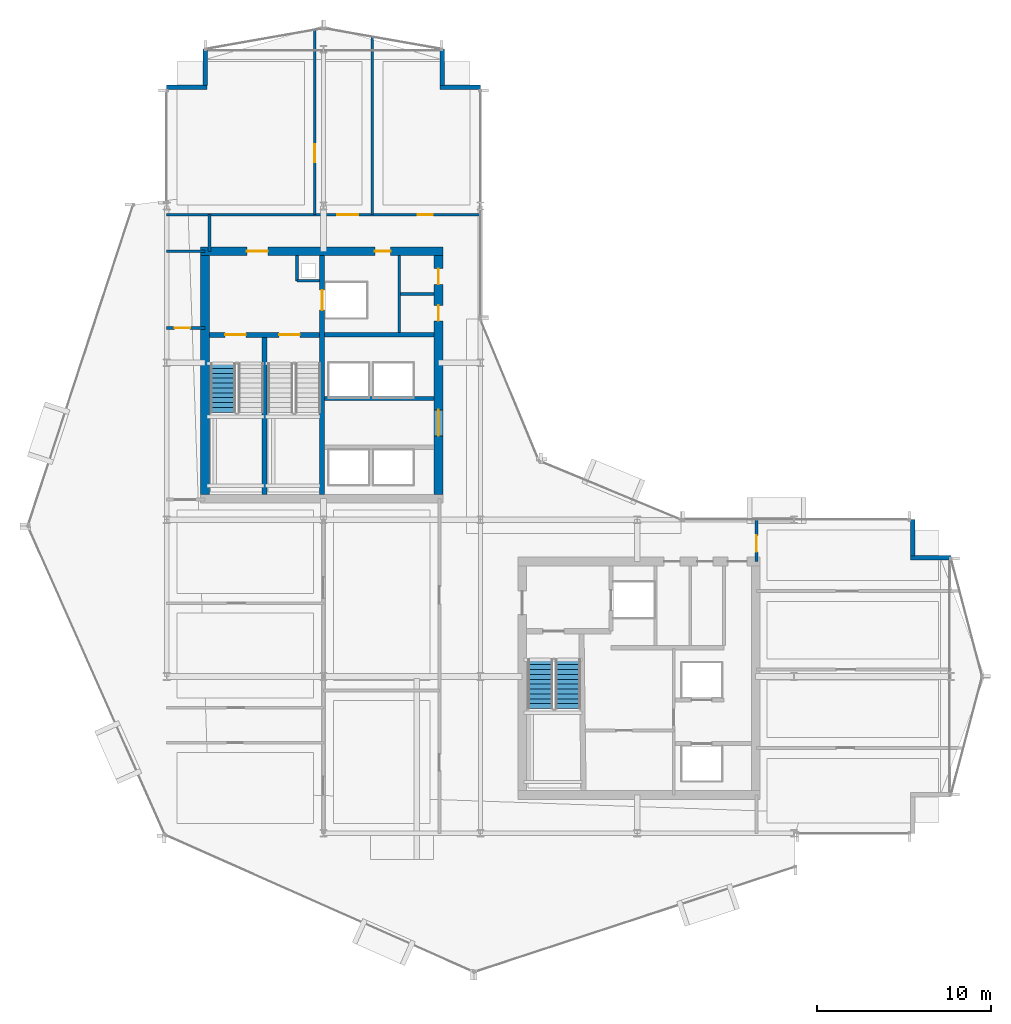
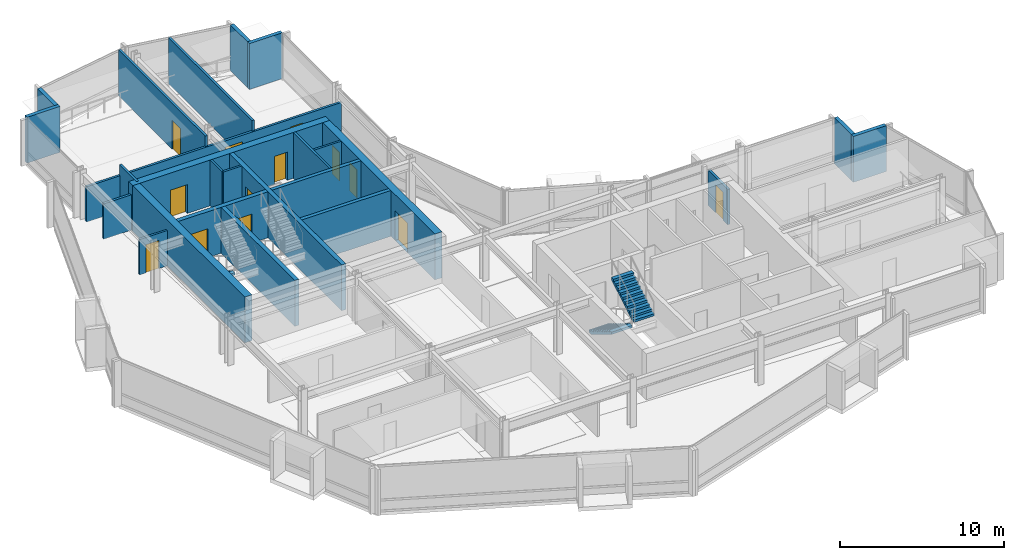
# One storey, part 23 of 29: 25 walls, 13 doors, 3 stair flights, 13 openings, 2 elements without a shape of their own.
"""IFC4 building model written with IfcOpenShell, lengths in metres."""

from ifc_helpers import new_model, si_unit, direction, frame, frame_2d, origin, place, context, subcontext, project, spatial, polyline, rectangle, outline, extrude, material, layer, layer_set, type_object, element, fill, aggregate, save


model = new_model("IFC4")

# Units and contexts
model_context = context("Model", 3, precision=1e-05, world=origin(), true_north=direction((0.0, 1.0)))
body_context = subcontext(model_context, "Body", "Model", "MODEL_VIEW")
ifc_project = project(units=[si_unit("LENGTHUNIT", "METRE"), si_unit("AREAUNIT", "SQUARE_METRE"), si_unit("VOLUMEUNIT", "CUBIC_METRE"), si_unit("PLANEANGLEUNIT", "RADIAN"), si_unit("MASSUNIT", "GRAM", prefix="KILO")], contexts=[model_context])

# Site, building, storey
site_placement = place(None, origin())
site = spatial("IfcSite", under=ifc_project, at=site_placement, CompositionType="ELEMENT")
building_placement = place(site_placement, origin())
building = spatial("IfcBuilding", under=site, at=building_placement, Name="Solvaryn Broadcast Tower", CompositionType="ELEMENT")
storey_placement = place(building_placement, frame((0.0, 0.0, 139.60009765625)))
storey = spatial("IfcBuildingStorey", under=building, at=storey_placement, Name="L34", CompositionType="ELEMENT", Elevation=139.60009765625)

# Wall, openings, doors
ifc_material_1 = material(Name="Concrete f'c 70 MPa", Category="concrete")
ifc_layer_1 = layer(ifc_material_1, 0.5)
ifc_layer_set_1 = layer_set([ifc_layer_1], Name="CW-SHEAR-500")
wall_type_1 = type_object("IfcWallType", Name="CW-SHEAR-500", PredefinedType="SHEAR", material=ifc_layer_set_1)
wall_1_placement = place(storey_placement, frame((24.85009765625, 42.39990234375, 0.0), z_axis=(0.0, 0.0, 1.0), x_axis=(-1.0, 0.0, 0.0)))
wall_1 = element("IfcWall", 1, at=wall_1_placement, inside=storey, type_object=wall_type_1, Name="L34 West Core North Shear Wall", PredefinedType="SHEAR", context=body_context, shape_type="SweptSolid", body=[
    extrude(rectangle(XDim=13.900146484375, YDim=0.5, at=frame_2d((6.9501953125, 0.0))), origin(), (0.0, 0.0, 1.0), 3.419921875),
])
opening_1_placement = place(wall_1_placement, frame((10.050048828125, 0.0, 0.0)))
opening_1 = element("IfcOpeningElement", 2, at=opening_1_placement, cuts=wall_1, Name="Opening FD90A", PredefinedType="OPENING", context=body_context, shape_type="SweptSolid", body=[
    extrude(rectangle(XDim=1.199951171875, YDim=2.14990234375, at=frame_2d((0.60009765625, 1.074951171875))), frame((0.0, 0.260009765625, 0.0), z_axis=(0.0, -1.0, 0.0), x_axis=(1.0, 0.0, 0.0)), (0.0, 0.0, 1.0), 0.52001953125),
])
opening_2_placement = place(wall_1_placement, frame((3.0, 0.0, 0.0)))
opening_2 = element("IfcOpeningElement", 3, at=opening_2_placement, cuts=wall_1, Name="Opening FD60C", PredefinedType="OPENING", context=body_context, shape_type="SweptSolid", body=[
    extrude(rectangle(XDim=0.89990234375, YDim=2.10009765625, at=frame_2d((0.449951171875, 1.050048828125))), frame((0.0, 0.260009765625, 0.0), z_axis=(0.0, -1.0, 0.0), x_axis=(1.0, 0.0, 0.0)), (0.0, 0.0, 1.0), 0.52001953125),
])
ifc_material_2 = material(Name="Flush Acoustic Steel and Timber Door Assembly", Category="steel")
door_type_1 = type_object("IfcDoorType", Name="FD60-SERV-900X2100", OperationType="NOTDEFINED", PredefinedType="DOOR", material=ifc_material_2)
door_1_placement = place(opening_2_placement, origin())
door_1 = element("IfcDoor", 4, at=door_1_placement, inside=storey, type_object=door_type_1, Name="L34 West Core Fiber Riser Door", OperationType="SINGLE_SWING_RIGHT", OverallHeight=2.10009765625, OverallWidth=0.89990234375, PredefinedType="DOOR", context=body_context, shape_type="SweptSolid", body=[
    extrude(rectangle(XDim=0.89990234375, YDim=2.10009765625, at=frame_2d((0.449951171875, 1.050048828125))), frame((0.0, 0.02490234375, 0.0), z_axis=(0.0, -1.0, 0.0), x_axis=(1.0, 0.0, 0.0)), (0.0, 0.0, 1.0), 0.050048828125),
])
fill(opening_2, door_1)
ifc_material_3 = material(Name="Flush Acoustic Steel and Timber Door Assembly", Category="steel")
door_type_2 = type_object("IfcDoorType", Name="FD90-STAIR-1200X2150", OperationType="NOTDEFINED", PredefinedType="DOOR", material=ifc_material_3)
door_2_placement = place(opening_1_placement, origin())
door_2 = element("IfcDoor", 5, at=door_2_placement, inside=storey, type_object=door_type_2, Name="L34 West FSAE Lobby Corridor Door", OperationType="SINGLE_SWING_LEFT", OverallHeight=2.14990234375, OverallWidth=1.199951171875, PredefinedType="DOOR", context=body_context, shape_type="SweptSolid", body=[
    extrude(rectangle(XDim=1.199951171875, YDim=2.14990234375, at=frame_2d((0.60009765625, 1.074951171875))), frame((0.0, 0.02490234375, 0.0), z_axis=(0.0, -1.0, 0.0), x_axis=(1.0, 0.0, 0.0)), (0.0, 0.0, 1.0), 0.050048828125),
])
fill(opening_1, door_2)

# Wall
wall_2_placement = place(storey_placement, frame((11.199951171875, 42.14990234375, 0.0), z_axis=(0.0, 0.0, 1.0), x_axis=(0.0, -1.0, 0.0)))
element("IfcWall", 6, at=wall_2_placement, inside=storey, type_object=wall_type_1, Name="L34 West Core West Shear Wall", PredefinedType="SHEAR", context=body_context, shape_type="SweptSolid", body=[
    extrude(rectangle(XDim=13.699951171875, YDim=0.5, at=frame_2d((6.85009765625, 0.0))), origin(), (0.0, 0.0, 1.0), 3.419921875),
])

# Wall, openings, doors
wall_3_placement = place(storey_placement, frame((24.60009765625, 28.449951171875, 0.0), z_axis=(0.0, 0.0, 1.0), x_axis=(0.0, 1.0, 0.0)))
wall_3 = element("IfcWall", 7, at=wall_3_placement, inside=storey, type_object=wall_type_1, Name="L34 West Core East Shear Wall", PredefinedType="SHEAR", context=body_context, shape_type="SweptSolid", body=[
    extrude(rectangle(XDim=13.699951171875, YDim=0.5, at=frame_2d((6.85009765625, 0.0))), origin(), (0.0, 0.0, 1.0), 3.419921875),
])
opening_3_placement = place(wall_3_placement, frame((3.35009765625, 0.0, 0.0)))
opening_3 = element("IfcOpeningElement", 8, at=opening_3_placement, cuts=wall_3, Name="Opening FD60A", PredefinedType="OPENING", context=body_context, shape_type="SweptSolid", body=[
    extrude(rectangle(XDim=1.5, YDim=2.199951171875, at=frame_2d((0.75, 1.10009765625))), frame((0.0, 0.260009765625, 0.0), z_axis=(0.0, -1.0, 0.0), x_axis=(1.0, 0.0, 0.0)), (0.0, 0.0, 1.0), 0.52001953125),
])
opening_4_placement = place(wall_3_placement, frame((9.949951171875, 0.0, 0.0)))
opening_4 = element("IfcOpeningElement", 9, at=opening_4_placement, cuts=wall_3, Name="Opening FD60C", PredefinedType="OPENING", context=body_context, shape_type="SweptSolid", body=[
    extrude(rectangle(XDim=0.89990234375, YDim=2.10009765625, at=frame_2d((0.449951171875, 1.050048828125))), frame((0.0, 0.260009765625, 0.0), z_axis=(0.0, -1.0, 0.0), x_axis=(1.0, 0.0, 0.0)), (0.0, 0.0, 1.0), 0.52001953125),
])
opening_5_placement = place(wall_3_placement, frame((12.050048828125, 0.0, 0.0)))
opening_5 = element("IfcOpeningElement", 10, at=opening_5_placement, cuts=wall_3, Name="Opening FD60C", PredefinedType="OPENING", context=body_context, shape_type="SweptSolid", body=[
    extrude(rectangle(XDim=0.89990234375, YDim=2.10009765625, at=frame_2d((0.449951171875, 1.050048828125))), frame((0.0, 0.260009765625, 0.0), z_axis=(0.0, -1.0, 0.0), x_axis=(1.0, 0.0, 0.0)), (0.0, 0.0, 1.0), 0.52001953125),
])
ifc_material_4 = material(Name="Flush Acoustic Steel and Timber Door Assembly", Category="steel")
door_type_3 = type_object("IfcDoorType", Name="FD60-CORR-1500X2200", OperationType="NOTDEFINED", PredefinedType="DOOR", material=ifc_material_4)
door_3_placement = place(opening_3_placement, origin())
door_3 = element("IfcDoor", 11, at=door_3_placement, inside=storey, type_object=door_type_3, Name="L34 West Elevator Lobby Corridor Door", OperationType="DOUBLE_DOOR_SINGLE_SWING", OverallHeight=2.199951171875, OverallWidth=1.5, PredefinedType="DOOR", context=body_context, shape_type="SweptSolid", body=[
    extrude(rectangle(XDim=1.5, YDim=2.199951171875, at=frame_2d((0.75, 1.10009765625))), frame((0.0, 0.02490234375, 0.0), z_axis=(0.0, -1.0, 0.0), x_axis=(1.0, 0.0, 0.0)), (0.0, 0.0, 1.0), 0.050048828125),
])
fill(opening_3, door_3)
door_4_placement = place(opening_4_placement, origin())
door_4 = element("IfcDoor", 12, at=door_4_placement, inside=storey, type_object=door_type_1, Name="L34 West Core Service Door 1", OperationType="SINGLE_SWING_LEFT", OverallHeight=2.10009765625, OverallWidth=0.89990234375, PredefinedType="DOOR", context=body_context, shape_type="SweptSolid", body=[
    extrude(rectangle(XDim=0.89990234375, YDim=2.10009765625, at=frame_2d((0.449951171875, 1.050048828125))), frame((0.0, 0.02490234375, 0.0), z_axis=(0.0, -1.0, 0.0), x_axis=(1.0, 0.0, 0.0)), (0.0, 0.0, 1.0), 0.050048828125),
])
fill(opening_4, door_4)
door_5_placement = place(opening_5_placement, origin())
door_5 = element("IfcDoor", 13, at=door_5_placement, inside=storey, type_object=door_type_1, Name="L34 West Core Janitor Door", OperationType="SINGLE_SWING_RIGHT", OverallHeight=2.10009765625, OverallWidth=0.89990234375, PredefinedType="DOOR", context=body_context, shape_type="SweptSolid", body=[
    extrude(rectangle(XDim=0.89990234375, YDim=2.10009765625, at=frame_2d((0.449951171875, 1.050048828125))), frame((0.0, 0.02490234375, 0.0), z_axis=(0.0, -1.0, 0.0), x_axis=(1.0, 0.0, 0.0)), (0.0, 0.0, 1.0), 0.050048828125),
])
fill(opening_5, door_5)

# Walls
ifc_material_5 = material(Name="Concrete f'c 50 MPa", Category="concrete")
ifc_layer_2 = layer(ifc_material_5, 0.260009765625)
ifc_layer_set_2 = layer_set([ifc_layer_2], Name="EW-PIER-260")
wall_type_2 = type_object("IfcWallType", Name="EW-PIER-260", PredefinedType="SOLIDWALL", material=ifc_layer_set_2)
wall_4_placement = place(storey_placement, frame((9.0, 51.800048828125, 0.0), z_axis=(0.0, 0.0, 1.0), x_axis=(1.0, 0.0, 0.0)))
element("IfcWall", 14, at=wall_4_placement, inside=storey, type_object=wall_type_2, Name="L34 Notched Corner Pier Wall NNW1", PredefinedType="SOLIDWALL", context=body_context, shape_type="SweptSolid", body=[
    extrude(rectangle(XDim=2.320068359375, YDim=0.260009765625, at=frame_2d((1.16015625, 0.0))), origin(), (0.0, 0.0, 1.0), 3.419921875),
])
for number, where, z_axis, x_axis, name in (
    (15, (11.199951171875, 51.919921875, 0.0), (0.0, 0.0, 1.0), (0.0, 1.0, 0.0), "L34 Notched Corner Pier Wall NNW2"),
    (16, (24.800048828125, 54.0, 0.0), (0.0, 0.0, 1.0), (0.0, -1.0, 0.0), "L34 Notched Corner Pier Wall NNE1"),
):
    element("IfcWall", number, at=place(storey_placement, frame(where, z_axis=z_axis, x_axis=x_axis)), inside=storey, type_object=wall_type_2, Name=name, PredefinedType="SOLIDWALL", context=body_context, shape_type="SweptSolid", body=[
        extrude(rectangle(XDim=2.080078125, YDim=0.260009765625, at=frame_2d((1.0400390625, 0.0))), origin(), (0.0, 0.0, 1.0), 3.419921875),
    ])
for number, where, z_axis, x_axis, name in (
    (17, (24.679931640625, 51.800048828125, 0.0), (0.0, 0.0, 1.0), (1.0, 0.0, 0.0), "L34 Notched Corner Pier Wall NNE2"),
    (18, (54.0, 24.800048828125, 0.0), (0.0, 0.0, 1.0), (-1.0, 0.0, 0.0), "L34 Notched Corner Pier Wall NEE1"),
):
    element("IfcWall", number, at=place(storey_placement, frame(where, z_axis=z_axis, x_axis=x_axis)), inside=storey, type_object=wall_type_2, Name=name, PredefinedType="SOLIDWALL", context=body_context, shape_type="SweptSolid", body=[
        extrude(rectangle(XDim=2.320068359375, YDim=0.260009765625, at=frame_2d((1.16015625, 0.0))), origin(), (0.0, 0.0, 1.0), 3.419921875),
    ])
wall_5_placement = place(storey_placement, frame((51.800048828125, 24.919921875, 0.0), z_axis=(0.0, 0.0, 1.0), x_axis=(0.0, 1.0, 0.0)))
element("IfcWall", 19, at=wall_5_placement, inside=storey, type_object=wall_type_2, Name="L34 Notched Corner Pier Wall NEE2", PredefinedType="SOLIDWALL", context=body_context, shape_type="SweptSolid", body=[
    extrude(rectangle(XDim=2.080078125, YDim=0.260009765625, at=frame_2d((1.0400390625, 0.0))), origin(), (0.0, 0.0, 1.0), 3.419921875),
])
ifc_material_6 = material(Name="Metal-Stud Service Core Partition")
ifc_layer_3 = layer(ifc_material_6, 0.14990234375)
ifc_layer_set_3 = layer_set([ifc_layer_3], Name="IW-PART-150")
wall_type_3 = type_object("IfcWallType", Name="IW-PART-150", PredefinedType="PARTITIONING", material=ifc_layer_set_3)
wall_6_placement = place(storey_placement, frame((16.47998046875, 40.699951171875, 0.0), z_axis=(0.0, 0.0, 1.0), x_axis=(1.0, 0.0, 0.0)))
element("IfcWall", 20, at=wall_6_placement, inside=storey, type_object=wall_type_3, Name="L34 West Core Riser Shaft South Wall", PredefinedType="PARTITIONING", context=body_context, shape_type="SweptSolid", body=[
    extrude(rectangle(XDim=1.2900390625, YDim=0.14990234375, at=frame_2d((0.64501953125, 0.0))), origin(), (0.0, 0.0, 1.0), 3.419921875),
])
wall_7_placement = place(storey_placement, frame((16.47998046875, 40.699951171875, 0.0), z_axis=(0.0, 0.0, 1.0), x_axis=(0.0, 1.0, 0.0)))
element("IfcWall", 21, at=wall_7_placement, inside=storey, type_object=wall_type_3, Name="L34 West Core Riser Shaft West Wall", PredefinedType="PARTITIONING", context=body_context, shape_type="SweptSolid", body=[
    extrude(rectangle(XDim=1.449951171875, YDim=0.14990234375, at=frame_2d((0.72509765625, 0.0))), origin(), (0.0, 0.0, 1.0), 3.419921875),
])
wall_8_placement = place(storey_placement, frame((22.35009765625, 37.72998046875, 0.0), z_axis=(0.0, 0.0, 1.0), x_axis=(0.0, 1.0, 0.0)))
element("IfcWall", 22, at=wall_8_placement, inside=storey, type_object=wall_type_3, Name="L34 Interior Partition IW-L34-CWS-V", PredefinedType="PARTITIONING", context=body_context, shape_type="SweptSolid", body=[
    extrude(rectangle(XDim=4.419921875, YDim=0.14990234375, at=frame_2d((2.2099609375, 0.0))), origin(), (0.0, 0.0, 1.0), 3.419921875),
])
wall_9_placement = place(storey_placement, frame((22.429931640625, 39.949951171875, 0.0), z_axis=(0.0, 0.0, 1.0), x_axis=(1.0, 0.0, 0.0)))
element("IfcWall", 23, at=wall_9_placement, inside=storey, type_object=wall_type_3, Name="L34 Interior Partition IW-L34-CWS-H", PredefinedType="PARTITIONING", context=body_context, shape_type="SweptSolid", body=[
    extrude(rectangle(XDim=1.920166015625, YDim=0.14990234375, at=frame_2d((0.9599609375, 0.0))), origin(), (0.0, 0.0, 1.0), 3.419921875),
])

# Wall, opening, door
wall_10_placement = place(storey_placement, frame((9.0, 38.0, 0.0), z_axis=(0.0, 0.0, 1.0), x_axis=(1.0, 0.0, 0.0)))
wall_10 = element("IfcWall", 24, at=wall_10_placement, inside=storey, type_object=wall_type_3, Name="L34 Interior Partition IW-L34-WM-M", PredefinedType="PARTITIONING", context=body_context, shape_type="SweptSolid", body=[
    extrude(rectangle(XDim=2.199951171875, YDim=0.14990234375, at=frame_2d((1.10009765625, 0.0))), origin(), (0.0, 0.0, 1.0), 2.6337890625),
])
opening_6_placement = place(wall_10_placement, frame((0.449951171875, 0.0, 0.0)))
opening_6 = element("IfcOpeningElement", 25, at=opening_6_placement, cuts=wall_10, Name="Opening FD60C", PredefinedType="OPENING", context=body_context, shape_type="SweptSolid", body=[
    extrude(rectangle(XDim=0.89990234375, YDim=2.10009765625, at=frame_2d((0.449951171875, 1.050048828125))), frame((0.0, 0.0849609375, 0.0), z_axis=(0.0, -1.0, 0.0), x_axis=(1.0, 0.0, 0.0)), (0.0, 0.0, 1.0), 0.169921875),
])
door_6_placement = place(opening_6_placement, origin())
door_6 = element("IfcDoor", 26, at=door_6_placement, inside=storey, type_object=door_type_1, Name="L34 Door DR-L34-WM1", OperationType="SINGLE_SWING_LEFT", OverallHeight=2.10009765625, OverallWidth=0.89990234375, PredefinedType="DOOR", context=body_context, shape_type="SweptSolid", body=[
    extrude(rectangle(XDim=0.89990234375, YDim=2.10009765625, at=frame_2d((0.449951171875, 1.050048828125))), frame((0.0, 0.02490234375, 0.0), z_axis=(0.0, -1.0, 0.0), x_axis=(1.0, 0.0, 0.0)), (0.0, 0.0, 1.0), 0.050048828125),
])
fill(opening_6, door_6)

# Walls
ifc_material_7 = material(Name="Metal-Stud Gypsum Office Partition")
ifc_layer_4 = layer(ifc_material_7, 0.159912109375)
ifc_layer_set_4 = layer_set([ifc_layer_4], Name="IW-PART-160")
wall_type_4 = type_object("IfcWallType", Name="IW-PART-160", PredefinedType="PARTITIONING", material=ifc_layer_set_4)
wall_11_placement = place(storey_placement, frame((9.0, 42.39990234375, 0.0), z_axis=(0.0, 0.0, 1.0), x_axis=(1.0, 0.0, 0.0)))
element("IfcWall", 27, at=wall_11_placement, inside=storey, type_object=wall_type_4, Name="L34 Interior Partition IW-L34-WM-N", PredefinedType="PARTITIONING", context=body_context, shape_type="SweptSolid", body=[
    extrude(rectangle(XDim=2.199951171875, YDim=0.159912109375, at=frame_2d((1.10009765625, 0.0))), origin(), (0.0, 0.0, 1.0), 2.6337890625),
])
wall_12_placement = place(storey_placement, frame((11.449951171875, 42.39990234375, 0.0), z_axis=(0.0, 0.0, 1.0), x_axis=(0.0, 1.0, 0.0)))
element("IfcWall", 28, at=wall_12_placement, inside=storey, type_object=wall_type_4, Name="L34 Interior Partition IW-L34-WM-E", PredefinedType="PARTITIONING", context=body_context, shape_type="SweptSolid", body=[
    extrude(rectangle(XDim=2.10009765625, YDim=0.159912109375, at=frame_2d((1.050048828125, 0.0))), origin(), (0.0, 0.0, 1.0), 3.419921875),
])

# Wall, openings, doors
wall_13_placement = place(storey_placement, frame((9.0, 44.5, 0.0), z_axis=(0.0, 0.0, 1.0), x_axis=(1.0, 0.0, 0.0)))
wall_13 = element("IfcWall", 29, at=wall_13_placement, inside=storey, type_object=wall_type_4, Name="L34 Interior Partition IW-L34-NW-SB", PredefinedType="PARTITIONING", context=body_context, shape_type="SweptSolid", body=[
    extrude(rectangle(XDim=18.0, YDim=0.159912109375, at=frame_2d((9.0, 0.0))), origin(), (0.0, 0.0, 1.0), 2.6337890625),
])
opening_7_placement = place(wall_13_placement, frame((9.800048828125, 0.0, 0.0)))
opening_7 = element("IfcOpeningElement", 30, at=opening_7_placement, cuts=wall_13, Name="Opening ID04", PredefinedType="OPENING", context=body_context, shape_type="SweptSolid", body=[
    extrude(rectangle(XDim=1.199951171875, YDim=2.14990234375, at=frame_2d((0.60009765625, 1.074951171875))), frame((0.0, 0.090087890625, 0.0), z_axis=(0.0, -1.0, 0.0), x_axis=(1.0, 0.0, 0.0)), (0.0, 0.0, 1.0), 0.179931640625),
])
opening_8_placement = place(wall_13_placement, frame((14.39990234375, 0.0, 0.0)))
opening_8 = element("IfcOpeningElement", 31, at=opening_8_placement, cuts=wall_13, Name="Opening ID07", PredefinedType="OPENING", context=body_context, shape_type="SweptSolid", body=[
    extrude(rectangle(XDim=0.860107421875, YDim=2.050048828125, at=frame_2d((0.43017578125, 1.02490234375))), frame((0.0, 0.090087890625, 0.0), z_axis=(0.0, -1.0, 0.0), x_axis=(1.0, 0.0, 0.0)), (0.0, 0.0, 1.0), 0.179931640625),
])
ifc_material_8 = material(Name="Flush Acoustic Steel and Timber Door Assembly", Category="steel")
door_type_4 = type_object("IfcDoorType", Name="ID-04-1200X2150", OperationType="NOTDEFINED", PredefinedType="DOOR", material=ifc_material_8)
door_7_placement = place(opening_7_placement, origin())
door_7 = element("IfcDoor", 32, at=door_7_placement, inside=storey, type_object=door_type_4, Name="L34 Door DR-L34-NW-2", OperationType="SINGLE_SWING_RIGHT", OverallHeight=2.14990234375, OverallWidth=1.199951171875, PredefinedType="DOOR", context=body_context, shape_type="SweptSolid", body=[
    extrude(rectangle(XDim=1.199951171875, YDim=2.14990234375, at=frame_2d((0.60009765625, 1.074951171875))), frame((0.0, 0.02490234375, 0.0), z_axis=(0.0, -1.0, 0.0), x_axis=(1.0, 0.0, 0.0)), (0.0, 0.0, 1.0), 0.050048828125),
])
fill(opening_7, door_7)
ifc_material_9 = material(Name="Flush Acoustic Steel and Timber Door Assembly", Category="steel")
door_type_5 = type_object("IfcDoorType", Name="ID-07-860X2050", OperationType="NOTDEFINED", PredefinedType="DOOR", material=ifc_material_9)
door_8_placement = place(opening_8_placement, origin())
door_8 = element("IfcDoor", 33, at=door_8_placement, inside=storey, type_object=door_type_5, Name="L34 Door DR-L34-NW-3", OperationType="SINGLE_SWING_LEFT", OverallHeight=2.050048828125, OverallWidth=0.860107421875, PredefinedType="DOOR", context=body_context, shape_type="SweptSolid", body=[
    extrude(rectangle(XDim=0.860107421875, YDim=2.050048828125, at=frame_2d((0.43017578125, 1.02490234375))), frame((0.0, 0.02490234375, 0.0), z_axis=(0.0, -1.0, 0.0), x_axis=(1.0, 0.0, 0.0)), (0.0, 0.0, 1.0), 0.050048828125),
])
fill(opening_8, door_8)

# Wall, opening, door
wall_14_placement = place(storey_placement, frame((17.5, 44.5, 0.0), z_axis=(0.0, 0.0, 1.0), x_axis=(0.0, 1.0, 0.0)))
wall_14 = element("IfcWall", 34, at=wall_14_placement, inside=storey, type_object=wall_type_4, Name="L34 Interior Partition IW-L34-NW-V1", PredefinedType="PARTITIONING", context=body_context, shape_type="SweptSolid", body=[
    extrude(rectangle(XDim=10.612060546875, YDim=0.159912109375, at=frame_2d((5.30615234375, 0.0))), origin(), (0.0, 0.0, 1.0), 3.419921875),
])
opening_9_placement = place(wall_14_placement, frame((3.0, 0.0, 0.0)))
opening_9 = element("IfcOpeningElement", 35, at=opening_9_placement, cuts=wall_14, Name="Opening ID03", PredefinedType="OPENING", context=body_context, shape_type="SweptSolid", body=[
    extrude(rectangle(XDim=1.050048828125, YDim=2.14990234375, at=frame_2d((0.52490234375, 1.074951171875))), frame((0.0, 0.090087890625, 0.0), z_axis=(0.0, -1.0, 0.0), x_axis=(1.0, 0.0, 0.0)), (0.0, 0.0, 1.0), 0.179931640625),
])
ifc_material_10 = material(Name="Flush Acoustic Steel and Timber Door Assembly", Category="steel")
door_type_6 = type_object("IfcDoorType", Name="ID-03-1050X2150", OperationType="NOTDEFINED", PredefinedType="DOOR", material=ifc_material_10)
door_9_placement = place(opening_9_placement, origin())
door_9 = element("IfcDoor", 36, at=door_9_placement, inside=storey, type_object=door_type_6, Name="L34 Door DR-L34-NW-C1", OperationType="SINGLE_SWING_LEFT", OverallHeight=2.14990234375, OverallWidth=1.050048828125, PredefinedType="DOOR", context=body_context, shape_type="SweptSolid", body=[
    extrude(rectangle(XDim=1.050048828125, YDim=2.14990234375, at=frame_2d((0.52490234375, 1.074951171875))), frame((0.0, 0.02490234375, 0.0), z_axis=(0.0, -1.0, 0.0), x_axis=(1.0, 0.0, 0.0)), (0.0, 0.0, 1.0), 0.050048828125),
])
fill(opening_9, door_9)

# Wall
wall_15_placement = place(storey_placement, frame((20.800048828125, 44.5, 0.0), z_axis=(0.0, 0.0, 1.0), x_axis=(0.0, 1.0, 0.0)))
element("IfcWall", 37, at=wall_15_placement, inside=storey, type_object=wall_type_4, Name="L34 Interior Partition IW-L34-NW-V2", PredefinedType="PARTITIONING", context=body_context, shape_type="SweptSolid", body=[
    extrude(rectangle(XDim=10.2060546875, YDim=0.159912109375, at=frame_2d((5.10302734375, 0.0))), origin(), (0.0, 0.0, 1.0), 3.419921875),
])

# Wall, opening, door
wall_16_placement = place(storey_placement, frame((42.85009765625, 24.60009765625, 0.0), z_axis=(0.0, 0.0, 1.0), x_axis=(0.0, 1.0, 0.0)))
wall_16 = element("IfcWall", 38, at=wall_16_placement, inside=storey, type_object=wall_type_4, Name="L34 Interior Partition IW-L34-EW-BN", PredefinedType="PARTITIONING", context=body_context, shape_type="SweptSolid", body=[
    extrude(rectangle(XDim=2.39990234375, YDim=0.159912109375, at=frame_2d((1.199951171875, 0.0))), origin(), (0.0, 0.0, 1.0), 2.6337890625),
])
opening_10_placement = place(wall_16_placement, frame((0.550048828125, 0.0, 0.0)))
opening_10 = element("IfcOpeningElement", 39, at=opening_10_placement, cuts=wall_16, Name="Opening ID01", PredefinedType="OPENING", context=body_context, shape_type="SweptSolid", body=[
    extrude(rectangle(XDim=0.949951171875, YDim=2.10009765625, at=frame_2d((0.47509765625, 1.050048828125))), frame((0.0, 0.090087890625, 0.0), z_axis=(0.0, -1.0, 0.0), x_axis=(1.0, 0.0, 0.0)), (0.0, 0.0, 1.0), 0.179931640625),
])
ifc_material_11 = material(Name="Flush Acoustic Steel and Timber Door Assembly", Category="steel")
door_type_7 = type_object("IfcDoorType", Name="ID-01-950X2100", OperationType="NOTDEFINED", PredefinedType="DOOR", material=ifc_material_11)
door_10_placement = place(opening_10_placement, origin())
door_10 = element("IfcDoor", 40, at=door_10_placement, inside=storey, type_object=door_type_7, Name="L34 Door DR-L34-EW0", OperationType="SINGLE_SWING_RIGHT", OverallHeight=2.10009765625, OverallWidth=0.949951171875, PredefinedType="DOOR", context=body_context, shape_type="SweptSolid", body=[
    extrude(rectangle(XDim=0.949951171875, YDim=2.10009765625, at=frame_2d((0.47509765625, 1.050048828125))), frame((0.0, 0.02490234375, 0.0), z_axis=(0.0, -1.0, 0.0), x_axis=(1.0, 0.0, 0.0)), (0.0, 0.0, 1.0), 0.050048828125),
])
fill(opening_10, door_10)

# Walls
ifc_material_12 = material(Name="Concrete f'c 60 MPa", Category="concrete")
ifc_layer_5 = layer(ifc_material_12, 0.25)
ifc_layer_set_5 = layer_set([ifc_layer_5], Name="SW-SHAFT-250")
wall_type_5 = type_object("IfcWallType", Name="SW-SHAFT-250", PredefinedType="PARTITIONING", material=ifc_layer_set_5)
for number, where, z_axis, x_axis, name in (
    (41, (18.070068359375, 37.60009765625, 0.0), (0.0, 0.0, 1.0), (1.0, 0.0, 0.0), "L34 West Core FSAE Hoistway Front Wall"),
    (42, (24.35009765625, 33.949951171875, 0.0), (0.0, 0.0, 1.0), (-1.0, 0.0, 0.0), "L34 High-Rise Lift Bank North Wall"),
):
    element("IfcWall", number, at=place(storey_placement, frame(where, z_axis=z_axis, x_axis=x_axis)), inside=storey, type_object=wall_type_5, Name=name, PredefinedType="PARTITIONING", context=body_context, shape_type="SweptSolid", body=[
        extrude(rectangle(XDim=6.280029296875, YDim=0.25, at=frame_2d((3.14013671875, 0.0))), origin(), (0.0, 0.0, 1.0), 3.419921875),
    ])
ifc_material_13 = material(Name="Concrete f'c 70 MPa", Category="concrete")
ifc_layer_6 = layer(ifc_material_13, 0.300048828125)
ifc_layer_set_6 = layer_set([ifc_layer_6], Name="SW-SHAFT-300")
wall_type_6 = type_object("IfcWallType", Name="SW-SHAFT-300", PredefinedType="SHEAR", material=ifc_layer_set_6)
wall_17_placement = place(storey_placement, frame((14.6201171875, 28.449951171875, 0.0), z_axis=(0.0, 0.0, 1.0), x_axis=(0.0, 1.0, 0.0)))
element("IfcWall", 43, at=wall_17_placement, inside=storey, type_object=wall_type_6, Name="L34 Stair 1-2 Dividing Wall", PredefinedType="SHEAR", context=body_context, shape_type="SweptSolid", body=[
    extrude(rectangle(XDim=9.0, YDim=0.300048828125, at=frame_2d((4.5, 0.0))), origin(), (0.0, 0.0, 1.0), 3.419921875),
])

# Wall, opening, door
wall_18_placement = place(storey_placement, frame((17.919921875, 42.14990234375, 0.0), z_axis=(0.0, 0.0, 1.0), x_axis=(0.0, -1.0, 0.0)))
wall_18 = element("IfcWall", 44, at=wall_18_placement, inside=storey, type_object=wall_type_6, Name="L34 West Core Stair-Lobby Shear Wall", PredefinedType="SHEAR", context=body_context, shape_type="SweptSolid", body=[
    extrude(rectangle(XDim=13.699951171875, YDim=0.300048828125, at=frame_2d((6.85009765625, 0.0))), origin(), (0.0, 0.0, 1.0), 3.419921875),
])
opening_11_placement = place(wall_18_placement, frame((1.97509765625, 0.0, 0.0)))
opening_11 = element("IfcOpeningElement", 45, at=opening_11_placement, cuts=wall_18, Name="Opening LD01", PredefinedType="OPENING", context=body_context, shape_type="SweptSolid", body=[
    extrude(rectangle(XDim=1.14990234375, YDim=2.14990234375, at=frame_2d((0.574951171875, 1.074951171875))), frame((0.0, 0.159912109375, 0.0), z_axis=(0.0, -1.0, 0.0), x_axis=(1.0, 0.0, 0.0)), (0.0, 0.0, 1.0), 0.320068359375),
])
ifc_material_14 = material(Name="Flush Acoustic Steel and Timber Door Assembly", Category="steel")
door_type_8 = type_object("IfcDoorType", Name="LD-LIFT-1150X2150", OperationType="NOTDEFINED", PredefinedType="DOOR", material=ifc_material_14)
door_11_placement = place(opening_11_placement, origin())
door_11 = element("IfcDoor", 46, at=door_11_placement, inside=storey, type_object=door_type_8, Name="L34 FL1 Lift Landing Door", OperationType="DOUBLE_DOOR_SLIDING", OverallHeight=2.14990234375, OverallWidth=1.14990234375, PredefinedType="DOOR", context=body_context, shape_type="SweptSolid", body=[
    extrude(rectangle(XDim=1.14990234375, YDim=2.14990234375, at=frame_2d((0.574951171875, 1.074951171875))), frame((0.0, 0.02490234375, 0.0), z_axis=(0.0, -1.0, 0.0), x_axis=(1.0, 0.0, 0.0)), (0.0, 0.0, 1.0), 0.050048828125),
])
fill(opening_11, door_11)

# Wall, openings, doors
wall_19_placement = place(storey_placement, frame((17.77001953125, 37.60009765625, 0.0), z_axis=(0.0, 0.0, 1.0), x_axis=(-1.0, 0.0, 0.0)))
wall_19 = element("IfcWall", 47, at=wall_19_placement, inside=storey, type_object=wall_type_6, Name="L34 West Core FSAE Lobby South Wall", PredefinedType="SHEAR", context=body_context, shape_type="SweptSolid", body=[
    extrude(rectangle(XDim=6.320068359375, YDim=0.300048828125, at=frame_2d((3.16015625, 0.0))), origin(), (0.0, 0.0, 1.0), 3.419921875),
])
opening_12_placement = place(wall_19_placement, frame((4.219970703125, 0.0, 0.0)))
opening_12 = element("IfcOpeningElement", 48, at=opening_12_placement, cuts=wall_19, Name="Opening FD90A", PredefinedType="OPENING", context=body_context, shape_type="SweptSolid", body=[
    extrude(rectangle(XDim=1.199951171875, YDim=2.14990234375, at=frame_2d((0.60009765625, 1.074951171875))), frame((0.0, 0.159912109375, 0.0), z_axis=(0.0, -1.0, 0.0), x_axis=(1.0, 0.0, 0.0)), (0.0, 0.0, 1.0), 0.320068359375),
])
opening_13_placement = place(wall_19_placement, frame((1.1201171875, 0.0, 0.0)))
opening_13 = element("IfcOpeningElement", 49, at=opening_13_placement, cuts=wall_19, Name="Opening FD90A", PredefinedType="OPENING", context=body_context, shape_type="SweptSolid", body=[
    extrude(rectangle(XDim=1.199951171875, YDim=2.14990234375, at=frame_2d((0.60009765625, 1.074951171875))), frame((0.0, 0.159912109375, 0.0), z_axis=(0.0, -1.0, 0.0), x_axis=(1.0, 0.0, 0.0)), (0.0, 0.0, 1.0), 0.320068359375),
])
door_12_placement = place(opening_12_placement, origin())
door_12 = element("IfcDoor", 50, at=door_12_placement, inside=storey, type_object=door_type_2, Name="L34 Stair 1 Fire Door", OperationType="SINGLE_SWING_LEFT", OverallHeight=2.14990234375, OverallWidth=1.199951171875, PredefinedType="DOOR", context=body_context, shape_type="SweptSolid", body=[
    extrude(rectangle(XDim=1.199951171875, YDim=2.14990234375, at=frame_2d((0.60009765625, 1.074951171875))), frame((0.0, 0.02490234375, 0.0), z_axis=(0.0, -1.0, 0.0), x_axis=(1.0, 0.0, 0.0)), (0.0, 0.0, 1.0), 0.050048828125),
])
fill(opening_12, door_12)
door_13_placement = place(opening_13_placement, origin())
door_13 = element("IfcDoor", 51, at=door_13_placement, inside=storey, type_object=door_type_2, Name="L34 Stair 2 Fire Door", OperationType="SINGLE_SWING_RIGHT", OverallHeight=2.14990234375, OverallWidth=1.199951171875, PredefinedType="DOOR", context=body_context, shape_type="SweptSolid", body=[
    extrude(rectangle(XDim=1.199951171875, YDim=2.14990234375, at=frame_2d((0.60009765625, 1.074951171875))), frame((0.0, 0.02490234375, 0.0), z_axis=(0.0, -1.0, 0.0), x_axis=(1.0, 0.0, 0.0)), (0.0, 0.0, 1.0), 0.050048828125),
])
fill(opening_13, door_13)

# Stair, stair flight
ifc_material_15 = material(Name="Concrete f'c 60 MPa", Category="concrete")
stair_type = type_object("IfcStairType", Name="ST-CORE", PredefinedType="HALF_TURN_STAIR", material=ifc_material_15)
stair_1_placement = place(storey_placement, origin())
stair_1 = element("IfcStair", 52, at=stair_1_placement, inside=storey, type_object=stair_type, Name="L34 ST1", PredefinedType="HALF_TURN_STAIR")
ifc_material_16 = material(Name="Concrete f'c 60 MPa", Category="concrete")
ifc_layer_7 = layer(ifc_material_16, 0.159912109375)
ifc_layer_set_7 = layer_set([ifc_layer_7], Name="SF-CORE")
stair_flight_type = type_object("IfcStairFlightType", Name="SF-CORE", PredefinedType="STRAIGHT", material=ifc_layer_set_7)
stair_flight_1_placement = place(storey_placement, frame((12.239990234375, 35.9599609375, 0.0), z_axis=(0.0, 0.0, 1.0), x_axis=(0.0, -1.0, 0.0)))
stair_flight_1 = element("IfcStairFlight", 53, at=stair_flight_1_placement, type_object=stair_flight_type, Name="ST1 flight 1", NumberOfRisers=11, NumberOfTreads=10, PredefinedType="STRAIGHT", RiserHeight=0.168181818, TreadLength=0.28, context=body_context, shape_type="SweptSolid", body=[
    extrude(outline(polyline([(0.0, 0.0), (0.0, 0.168212890625), (0.280029296875, 0.168212890625), (0.280029296875, 0.33642578125), (0.56005859375, 0.33642578125), (0.56005859375, 0.504638671875), (0.840087890625, 0.504638671875), (0.840087890625, 0.672607421875), (1.1201171875, 0.672607421875), (1.1201171875, 0.8408203125), (1.39990234375, 0.8408203125), (1.39990234375, 1.009033203125), (1.679931640625, 1.009033203125), (1.679931640625, 1.17724609375), (1.9599609375, 1.17724609375), (1.9599609375, 1.345458984375), (2.239990234375, 1.345458984375), (2.239990234375, 1.513671875), (2.52001953125, 1.513671875), (2.52001953125, 1.681884765625), (2.800048828125, 1.681884765625), (2.800048828125, 1.85009765625), (2.800048828125, 1.5068359375), (0.291015625, 0.0), (0.0, 0.0)])), frame((0.0, 0.719970703125, 0.0), z_axis=(0.0, -1.0, 0.0), x_axis=(1.0, 0.0, 0.0)), (0.0, 0.0, 1.0), 1.43994140625),
])
aggregate(stair_1, [stair_flight_1])

# Stair, stair flights
stair_2_placement = place(storey_placement, origin())
stair_2 = element("IfcStair", 54, at=stair_2_placement, inside=storey, type_object=stair_type, Name="L34 ST3", PredefinedType="HALF_TURN_STAIR")
stair_flight_2_placement = place(storey_placement, frame((30.43994140625, 18.9599609375, 0.0), z_axis=(0.0, 0.0, 1.0), x_axis=(0.0, -1.0, 0.0)))
stair_flight_2 = element("IfcStairFlight", 55, at=stair_flight_2_placement, type_object=stair_flight_type, Name="ST3 flight 1", NumberOfRisers=11, NumberOfTreads=10, PredefinedType="STRAIGHT", RiserHeight=0.168181818, TreadLength=0.28, context=body_context, shape_type="SweptSolid", body=[
    extrude(outline(polyline([(0.0, 0.0), (0.0, 0.168212890625), (0.280029296875, 0.168212890625), (0.280029296875, 0.33642578125), (0.56005859375, 0.33642578125), (0.56005859375, 0.504638671875), (0.840087890625, 0.504638671875), (0.840087890625, 0.672607421875), (1.1201171875, 0.672607421875), (1.1201171875, 0.8408203125), (1.39990234375, 0.8408203125), (1.39990234375, 1.009033203125), (1.679931640625, 1.009033203125), (1.679931640625, 1.17724609375), (1.9599609375, 1.17724609375), (1.9599609375, 1.345458984375), (2.239990234375, 1.345458984375), (2.239990234375, 1.513671875), (2.52001953125, 1.513671875), (2.52001953125, 1.681884765625), (2.800048828125, 1.681884765625), (2.800048828125, 1.85009765625), (2.800048828125, 1.5068359375), (0.291015625, 0.0), (0.0, 0.0)])), frame((0.0, 0.719970703125, 0.0), z_axis=(0.0, -1.0, 0.0), x_axis=(1.0, 0.0, 0.0)), (0.0, 0.0, 1.0), 1.43994140625),
])
stair_flight_3_placement = place(storey_placement, frame((32.030029296875, 16.159912109375, 1.849853515625), z_axis=(0.0, 0.0, 1.0), x_axis=(0.0, 1.0, 0.0)))
stair_flight_3 = element("IfcStairFlight", 56, at=stair_flight_3_placement, type_object=stair_flight_type, Name="ST3 flight 2", NumberOfRisers=11, NumberOfTreads=10, PredefinedType="STRAIGHT", RiserHeight=0.168181818, TreadLength=0.28, context=body_context, shape_type="SweptSolid", body=[
    extrude(outline(polyline([(0.0, 0.0), (0.0, 0.168212890625), (0.280029296875, 0.168212890625), (0.280029296875, 0.33642578125), (0.56005859375, 0.33642578125), (0.56005859375, 0.504638671875), (0.840087890625, 0.504638671875), (0.840087890625, 0.672607421875), (1.1201171875, 0.672607421875), (1.1201171875, 0.8408203125), (1.39990234375, 0.8408203125), (1.39990234375, 1.009033203125), (1.679931640625, 1.009033203125), (1.679931640625, 1.17724609375), (1.9599609375, 1.17724609375), (1.9599609375, 1.345458984375), (2.239990234375, 1.345458984375), (2.239990234375, 1.513671875), (2.52001953125, 1.513671875), (2.52001953125, 1.681884765625), (2.800048828125, 1.681884765625), (2.800048828125, 1.85009765625), (2.800048828125, 1.5068359375), (0.291015625, 0.0), (0.0, 0.0)])), frame((0.0, 0.719970703125, 0.0), z_axis=(0.0, -1.0, 0.0), x_axis=(1.0, 0.0, 0.0)), (0.0, 0.0, 1.0), 1.43994140625),
])
aggregate(stair_2, [stair_flight_2, stair_flight_3])

save(model, "model.ifc")
